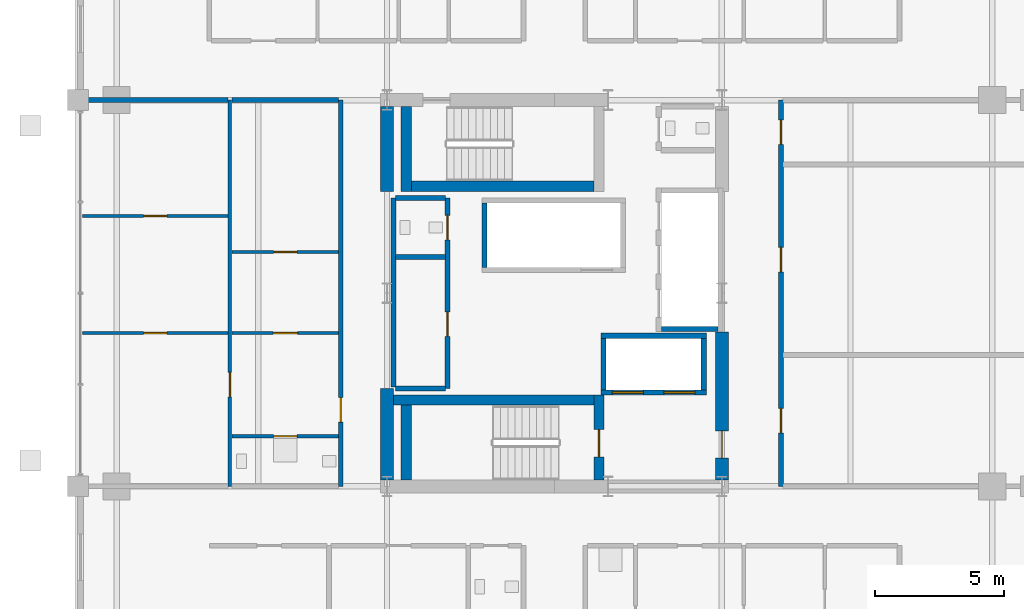
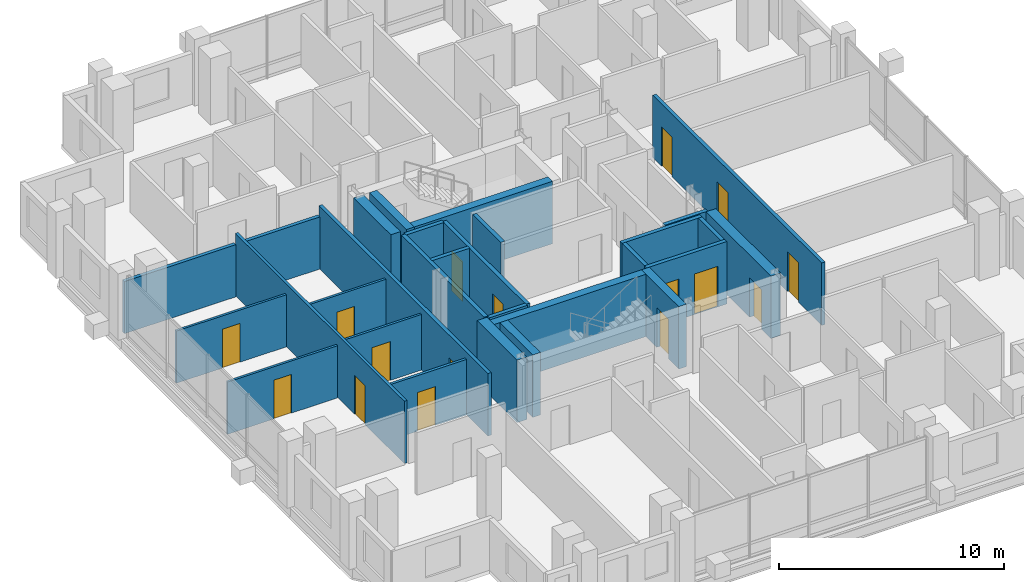
# One storey, part 19 of 24: 29 walls, 16 doors, 16 openings.
"""IFC4 building model written with IfcOpenShell, lengths in metres."""

from ifc_helpers import new_model, si_unit, direction, frame, frame_2d, origin, place, context, subcontext, project, spatial, rectangle, extrude, material, layer, layer_set, type_object, element, fill, save


model = new_model("IFC4")

# Units and contexts
model_context = context("Model", 3, precision=1e-05, world=origin(), true_north=direction((0.0, 1.0)))
body_context = subcontext(model_context, "Body", "Model", "MODEL_VIEW")
ifc_project = project(units=[si_unit("LENGTHUNIT", "METRE"), si_unit("AREAUNIT", "SQUARE_METRE"), si_unit("VOLUMEUNIT", "CUBIC_METRE"), si_unit("PLANEANGLEUNIT", "RADIAN"), si_unit("MASSUNIT", "GRAM", prefix="KILO")], contexts=[model_context])

# Site, building, storey
site_placement = place(None, origin())
site = spatial("IfcSite", under=ifc_project, at=site_placement, CompositionType="ELEMENT")
building_placement = place(site_placement, origin())
building = spatial("IfcBuilding", under=site, at=building_placement, Name="Barlavira Tower and Art Museum", CompositionType="ELEMENT")
storey_placement = place(building_placement, frame((0.0, 0.0, 190.800048828125)))
storey = spatial("IfcBuildingStorey", under=building, at=storey_placement, Name="L49", CompositionType="ELEMENT", Elevation=190.800048828125)

# Wall, opening, door
ifc_material_1 = material(Name="Gypsum acoustic stud partition", Category="gypsum")
ifc_layer_1 = layer(ifc_material_1, 0.1201171875, Name="Gypsum acoustic stud partition")
ifc_layer_set_1 = layer_set([ifc_layer_1], Name="Gypsum acoustic stud partition")
wall_type_1 = type_object("IfcWallType", Name="Apartment Internal Acoustic Partition 120", PredefinedType="PARTITIONING", material=ifc_layer_set_1)
wall_1_placement = place(storey_placement, frame((-18.320068359375, -1.550048828125, 0.0), z_axis=(0.0, 0.0, 1.0), x_axis=(1.0, 0.0, 0.0)))
wall_1 = element("IfcWall", 1, at=wall_1_placement, inside=storey, type_object=wall_type_1, Name="L49 Partition Wall 47", PredefinedType="PARTITIONING", context=body_context, shape_type="SweptSolid", body=[
    extrude(rectangle(XDim=5.64013671875, YDim=0.1201171875, at=frame_2d((2.820068359375, 0.0))), origin(), (0.0, 0.0, 1.0), 2.825927734375),
])
opening_1_placement = place(wall_1_placement, frame((2.3701171875, 0.0, 0.0)))
opening_1 = element("IfcOpeningElement", 2, at=opening_1_placement, cuts=wall_1, Name="Opening D-01", PredefinedType="OPENING", context=body_context, shape_type="SweptSolid", body=[
    extrude(rectangle(XDim=0.89990234375, YDim=2.10009765625, at=frame_2d((0.449951171875, 1.050048828125))), frame((0.0, 0.070068359375, 0.0), z_axis=(0.0, -1.0, 0.0), x_axis=(1.0, 0.0, 0.0)), (0.0, 0.0, 1.0), 0.14013671875),
])
ifc_material_2 = material(Name="Engineered coastal hardwood", Category="wood")
door_type_1 = type_object("IfcDoorType", Name="Internal Bedroom Timber Flush Door 900x2100", OperationType="NOTDEFINED", PredefinedType="DOOR", material=ifc_material_2)
door_1_placement = place(opening_1_placement, origin())
door_1 = element("IfcDoor", 3, at=door_1_placement, inside=storey, type_object=door_type_1, Name="Apartment W1 Bedroom 1 Door", OperationType="SINGLE_SWING_LEFT", OverallHeight=2.10009765625, OverallWidth=0.89990234375, PredefinedType="DOOR", context=body_context, shape_type="SweptSolid", body=[
    extrude(rectangle(XDim=0.89990234375, YDim=2.10009765625, at=frame_2d((0.449951171875, 1.050048828125))), frame((0.0, 0.02490234375, 0.0), z_axis=(0.0, -1.0, 0.0), x_axis=(1.0, 0.0, 0.0)), (0.0, 0.0, 1.0), 0.050048828125),
])
fill(opening_1, door_1)

wall_2_placement = place(storey_placement, frame((-12.52001953125, -1.550048828125, 0.0), z_axis=(0.0, 0.0, 1.0), x_axis=(1.0, 0.0, 0.0)))
wall_2 = element("IfcWall", 4, at=wall_2_placement, inside=storey, type_object=wall_type_1, Name="L49 Partition Wall 48", PredefinedType="PARTITIONING", context=body_context, shape_type="SweptSolid", body=[
    extrude(rectangle(XDim=4.14013671875, YDim=0.1201171875, at=frame_2d((2.070068359375, 0.0))), origin(), (0.0, 0.0, 1.0), 3.010986328125),
])
opening_2_placement = place(wall_2_placement, frame((1.594970703125, 0.0, 0.0)))
opening_2 = element("IfcOpeningElement", 5, at=opening_2_placement, cuts=wall_2, Name="Opening D-02", PredefinedType="OPENING", context=body_context, shape_type="SweptSolid", body=[
    extrude(rectangle(XDim=0.949951171875, YDim=2.10009765625, at=frame_2d((0.47509765625, 1.050048828125))), frame((0.0, 0.070068359375, 0.0), z_axis=(0.0, -1.0, 0.0), x_axis=(1.0, 0.0, 0.0)), (0.0, 0.0, 1.0), 0.14013671875),
])
door_type_2 = type_object("IfcDoorType", Name="Living and Salon Glazed-Leaf Door 950x2100", OperationType="NOTDEFINED", PredefinedType="DOOR", material=ifc_material_2)
door_2_placement = place(opening_2_placement, origin())
door_2 = element("IfcDoor", 6, at=door_2_placement, inside=storey, type_object=door_type_2, Name="Apartment W1 Kitchen Door", OperationType="SINGLE_SWING_RIGHT", OverallHeight=2.10009765625, OverallWidth=0.949951171875, PredefinedType="DOOR", context=body_context, shape_type="SweptSolid", body=[
    extrude(rectangle(XDim=0.949951171875, YDim=2.10009765625, at=frame_2d((0.47509765625, 1.050048828125))), frame((0.0, 0.02490234375, 0.0), z_axis=(0.0, -1.0, 0.0), x_axis=(1.0, 0.0, 0.0)), (0.0, 0.0, 1.0), 0.050048828125),
])
fill(opening_2, door_2)

wall_3_placement = place(storey_placement, frame((-12.52001953125, 1.60009765625, 0.0), z_axis=(0.0, 0.0, 1.0), x_axis=(1.0, 0.0, 0.0)))
wall_3 = element("IfcWall", 7, at=wall_3_placement, inside=storey, type_object=wall_type_1, Name="L49 Partition Wall 50", PredefinedType="PARTITIONING", context=body_context, shape_type="SweptSolid", body=[
    extrude(rectangle(XDim=4.14013671875, YDim=0.1201171875, at=frame_2d((2.070068359375, 0.0))), origin(), (0.0, 0.0, 1.0), 3.010986328125),
])
opening_3_placement = place(wall_3_placement, frame((1.6201171875, 0.0, 0.0)))
opening_3 = element("IfcOpeningElement", 8, at=opening_3_placement, cuts=wall_3, Name="Opening D-01", PredefinedType="OPENING", context=body_context, shape_type="SweptSolid", body=[
    extrude(rectangle(XDim=0.89990234375, YDim=2.10009765625, at=frame_2d((0.449951171875, 1.050048828125))), frame((0.0, 0.070068359375, 0.0), z_axis=(0.0, -1.0, 0.0), x_axis=(1.0, 0.0, 0.0)), (0.0, 0.0, 1.0), 0.14013671875),
])
door_3_placement = place(opening_3_placement, origin())
door_3 = element("IfcDoor", 9, at=door_3_placement, inside=storey, type_object=door_type_1, Name="Apartment W1 Walk-In Dressing Room Door", OperationType="SINGLE_SWING_LEFT", OverallHeight=2.10009765625, OverallWidth=0.89990234375, PredefinedType="DOOR", context=body_context, shape_type="SweptSolid", body=[
    extrude(rectangle(XDim=0.89990234375, YDim=2.10009765625, at=frame_2d((0.449951171875, 1.050048828125))), frame((0.0, 0.02490234375, 0.0), z_axis=(0.0, -1.0, 0.0), x_axis=(1.0, 0.0, 0.0)), (0.0, 0.0, 1.0), 0.050048828125),
])
fill(opening_3, door_3)

wall_4_placement = place(storey_placement, frame((-18.320068359375, 3.0, 0.0), z_axis=(0.0, 0.0, 1.0), x_axis=(1.0, 0.0, 0.0)))
wall_4 = element("IfcWall", 10, at=wall_4_placement, inside=storey, type_object=wall_type_1, Name="L49 Partition Wall 51", PredefinedType="PARTITIONING", context=body_context, shape_type="SweptSolid", body=[
    extrude(rectangle(XDim=5.64013671875, YDim=0.1201171875, at=frame_2d((2.820068359375, 0.0))), origin(), (0.0, 0.0, 1.0), 2.825927734375),
])
opening_4_placement = place(wall_4_placement, frame((2.3701171875, 0.0, 0.0)))
opening_4 = element("IfcOpeningElement", 11, at=opening_4_placement, cuts=wall_4, Name="Opening D-01", PredefinedType="OPENING", context=body_context, shape_type="SweptSolid", body=[
    extrude(rectangle(XDim=0.89990234375, YDim=2.10009765625, at=frame_2d((0.449951171875, 1.050048828125))), frame((0.0, 0.070068359375, 0.0), z_axis=(0.0, -1.0, 0.0), x_axis=(1.0, 0.0, 0.0)), (0.0, 0.0, 1.0), 0.14013671875),
])
door_4_placement = place(opening_4_placement, origin())
door_4 = element("IfcDoor", 12, at=door_4_placement, inside=storey, type_object=door_type_1, Name="Apartment W1 Bedroom 2 Door", OperationType="SINGLE_SWING_RIGHT", OverallHeight=2.10009765625, OverallWidth=0.89990234375, PredefinedType="DOOR", context=body_context, shape_type="SweptSolid", body=[
    extrude(rectangle(XDim=0.89990234375, YDim=2.10009765625, at=frame_2d((0.449951171875, 1.050048828125))), frame((0.0, 0.02490234375, 0.0), z_axis=(0.0, -1.0, 0.0), x_axis=(1.0, 0.0, 0.0)), (0.0, 0.0, 1.0), 0.050048828125),
])
fill(opening_4, door_4)

# Walls
ifc_material_3 = material(Name="Concrete C60", Category="concrete")
ifc_layer_2 = layer(ifc_material_3, 0.5, Name="Concrete C60")
ifc_layer_set_2 = layer_set([ifc_layer_2], Name="Concrete C60")
wall_type_2 = type_object("IfcWallType", Name="Core Structural Shear Wall 500 Concrete C60", PredefinedType="SHEAR", material=ifc_layer_set_2)
wall_5_placement = place(storey_placement, frame((-6.5, -7.25, 0.0), z_axis=(0.0, 0.0, 1.0), x_axis=(0.0, 1.0, 0.0)))
element("IfcWall", 13, at=wall_5_placement, inside=storey, type_object=wall_type_2, Name="L49 Core Shear Wall CS-W1", PredefinedType="SHEAR", context=body_context, shape_type="SweptSolid", body=[
    extrude(rectangle(XDim=3.550048828125, YDim=0.5, at=frame_2d((1.77490234375, 0.0))), origin(), (0.0, 0.0, 1.0), 3.3798828125),
])
wall_6_placement = place(storey_placement, frame((-6.5, 3.949951171875, 0.0), z_axis=(0.0, 0.0, 1.0), x_axis=(0.0, 1.0, 0.0)))
element("IfcWall", 14, at=wall_6_placement, inside=storey, type_object=wall_type_2, Name="L49 Core Shear Wall CS-W2", PredefinedType="SHEAR", context=body_context, shape_type="SweptSolid", body=[
    extrude(rectangle(XDim=3.300048828125, YDim=0.5, at=frame_2d((1.64990234375, 0.0))), origin(), (0.0, 0.0, 1.0), 3.3798828125),
])

# Wall, opening, door
wall_7_placement = place(storey_placement, frame((6.5, -7.25, 0.0), z_axis=(0.0, 0.0, 1.0), x_axis=(0.0, 1.0, 0.0)))
wall_7 = element("IfcWall", 15, at=wall_7_placement, inside=storey, type_object=wall_type_2, Name="L49 Core Shear Wall CS-E1", PredefinedType="SHEAR", context=body_context, shape_type="SweptSolid", body=[
    extrude(rectangle(XDim=5.75, YDim=0.5, at=frame_2d((2.875, 0.0))), origin(), (0.0, 0.0, 1.0), 3.3798828125),
])
opening_5_placement = place(wall_7_placement, frame((0.85009765625, 0.0, 0.0)))
opening_5 = element("IfcOpeningElement", 16, at=opening_5_placement, cuts=wall_7, Name="Opening FD-90", PredefinedType="OPENING", context=body_context, shape_type="SweptSolid", body=[
    extrude(rectangle(XDim=1.050048828125, YDim=2.14990234375, at=frame_2d((0.52490234375, 1.074951171875))), frame((0.0, 0.260009765625, 0.0), z_axis=(0.0, -1.0, 0.0), x_axis=(1.0, 0.0, 0.0)), (0.0, 0.0, 1.0), 0.52001953125),
])
ifc_material_4 = material(Name="Brushed stainless steel", Category="steel")
door_type_3 = type_object("IfcDoorType", Name="Stair and Refuge Fire Door 1050x2150 FD90S", OperationType="NOTDEFINED", PredefinedType="DOOR", material=ifc_material_4)
door_5_placement = place(opening_5_placement, origin())
door_5 = element("IfcDoor", 17, at=door_5_placement, inside=storey, type_object=door_type_3, Name="L49 Firefighting Lobby Entry Fire Door", OperationType="SINGLE_SWING_LEFT", OverallHeight=2.14990234375, OverallWidth=1.050048828125, PredefinedType="DOOR", context=body_context, shape_type="SweptSolid", body=[
    extrude(rectangle(XDim=1.050048828125, YDim=2.14990234375, at=frame_2d((0.52490234375, 1.074951171875))), frame((0.0, 0.02490234375, 0.0), z_axis=(0.0, -1.0, 0.0), x_axis=(1.0, 0.0, 0.0)), (0.0, 0.0, 1.0), 0.050048828125),
])
fill(opening_5, door_5)

# Walls
ifc_material_5 = material(Name="Autoclaved aerated concrete masonry", Category="masonry")
ifc_layer_3 = layer(ifc_material_5, 0.199951171875, Name="Autoclaved aerated concrete masonry")
ifc_layer_set_3 = layer_set([ifc_layer_3], Name="Autoclaved aerated concrete masonry")
wall_type_3 = type_object("IfcWallType", Name="Fire Compartment and Shaft Wall 200", PredefinedType="SOLIDWALL", material=ifc_layer_set_3)
wall_8_placement = place(storey_placement, frame((4.14990234375, -1.389892578125, 0.0), z_axis=(0.0, 0.0, 1.0), x_axis=(1.0, 0.0, 0.0)))
element("IfcWall", 18, at=wall_8_placement, inside=storey, type_object=wall_type_3, Name="L49 Mid-Rise Lift South Shaft Wall", PredefinedType="SOLIDWALL", context=body_context, shape_type="SweptSolid", body=[
    extrude(rectangle(XDim=2.2001953125, YDim=0.199951171875, at=frame_2d((1.10009765625, 0.0))), origin(), (0.0, 0.0, 1.0), 3.3798828125),
])
wall_9_placement = place(storey_placement, frame((-2.719970703125, 1.0, 0.0), z_axis=(0.0, 0.0, 1.0), x_axis=(0.0, 1.0, 0.0)))
element("IfcWall", 19, at=wall_9_placement, inside=storey, type_object=wall_type_3, Name="L49 High-Rise & Service Lift West Wall", PredefinedType="SOLIDWALL", context=body_context, shape_type="SweptSolid", body=[
    extrude(rectangle(XDim=2.5, YDim=0.199951171875, at=frame_2d((1.25, 0.0))), origin(), (0.0, 0.0, 1.0), 3.3798828125),
])

# Wall, openings, doors
wall_10_placement = place(storey_placement, frame((1.800048828125, -3.85009765625, 0.0), z_axis=(0.0, 0.0, 1.0), x_axis=(1.0, 0.0, 0.0)))
wall_10 = element("IfcWall", 20, at=wall_10_placement, inside=storey, type_object=wall_type_3, Name="L49 Firefighting Lift Front Shaft Wall", PredefinedType="SOLIDWALL", context=body_context, shape_type="SweptSolid", body=[
    extrude(rectangle(XDim=4.099853515625, YDim=0.199951171875, at=frame_2d((2.0498046875, 0.0))), origin(), (0.0, 0.0, 1.0), 3.3798828125),
])
opening_6_placement = place(wall_10_placement, frame((0.449951171875, 0.0, 0.0)))
opening_6 = element("IfcOpeningElement", 21, at=opening_6_placement, cuts=wall_10, Name="Opening LD-F", PredefinedType="OPENING", context=body_context, shape_type="SweptSolid", body=[
    extrude(rectangle(XDim=1.199951171875, YDim=2.199951171875, at=frame_2d((0.60009765625, 1.10009765625))), frame((0.0, 0.10986328125, 0.0), z_axis=(0.0, -1.0, 0.0), x_axis=(1.0, 0.0, 0.0)), (0.0, 0.0, 1.0), 0.219970703125),
])
opening_7_placement = place(wall_10_placement, frame((2.449951171875, 0.0, 0.0)))
opening_7 = element("IfcOpeningElement", 22, at=opening_7_placement, cuts=wall_10, Name="Opening LD-F", PredefinedType="OPENING", context=body_context, shape_type="SweptSolid", body=[
    extrude(rectangle(XDim=1.199951171875, YDim=2.199951171875, at=frame_2d((0.60009765625, 1.10009765625))), frame((0.0, 0.10986328125, 0.0), z_axis=(0.0, -1.0, 0.0), x_axis=(1.0, 0.0, 0.0)), (0.0, 0.0, 1.0), 0.219970703125),
])
door_type_4 = type_object("IfcDoorType", Name="Firefighting and Service Lift Sliding Door 1200x2200 FD120", OperationType="NOTDEFINED", PredefinedType="DOOR", material=ifc_material_4)
door_6_placement = place(opening_6_placement, origin())
door_6 = element("IfcDoor", 23, at=door_6_placement, inside=storey, type_object=door_type_4, Name="L49 Firefighting Lift FF1 Sliding Door", OperationType="DOUBLE_DOOR_SLIDING", OverallHeight=2.199951171875, OverallWidth=1.199951171875, PredefinedType="DOOR", context=body_context, shape_type="SweptSolid", body=[
    extrude(rectangle(XDim=1.199951171875, YDim=2.199951171875, at=frame_2d((0.60009765625, 1.10009765625))), frame((0.0, 0.02490234375, 0.0), z_axis=(0.0, -1.0, 0.0), x_axis=(1.0, 0.0, 0.0)), (0.0, 0.0, 1.0), 0.050048828125),
])
fill(opening_6, door_6)
door_7_placement = place(opening_7_placement, origin())
door_7 = element("IfcDoor", 24, at=door_7_placement, inside=storey, type_object=door_type_4, Name="L49 Firefighting Lift FF2 Sliding Door", OperationType="DOUBLE_DOOR_SLIDING", OverallHeight=2.199951171875, OverallWidth=1.199951171875, PredefinedType="DOOR", context=body_context, shape_type="SweptSolid", body=[
    extrude(rectangle(XDim=1.199951171875, YDim=2.199951171875, at=frame_2d((0.60009765625, 1.10009765625))), frame((0.0, 0.02490234375, 0.0), z_axis=(0.0, -1.0, 0.0), x_axis=(1.0, 0.0, 0.0)), (0.0, 0.0, 1.0), 0.050048828125),
])
fill(opening_7, door_7)

# Walls
wall_11_placement = place(storey_placement, frame((1.800048828125, -1.64990234375, 0.0), z_axis=(0.0, 0.0, 1.0), x_axis=(1.0, 0.0, 0.0)))
element("IfcWall", 25, at=wall_11_placement, inside=storey, type_object=wall_type_3, Name="L49 Firefighting Lift Back Shaft Wall", PredefinedType="SOLIDWALL", context=body_context, shape_type="SweptSolid", body=[
    extrude(rectangle(XDim=4.099853515625, YDim=0.199951171875, at=frame_2d((2.0498046875, 0.0))), origin(), (0.0, 0.0, 1.0), 3.3798828125),
])
for number, where, z_axis, x_axis, name in (
    (26, (1.89990234375, -3.75, 0.0), (0.0, 0.0, 1.0), (0.0, 1.0, 0.0), "L49 Firefighting Lift West Shaft Wall"),
    (27, (5.800048828125, -3.75, 0.0), (0.0, 0.0, 1.0), (0.0, 1.0, 0.0), "L49 Firefighting Lift East Shaft Wall"),
):
    element("IfcWall", number, at=place(storey_placement, frame(where, z_axis=z_axis, x_axis=x_axis)), inside=storey, type_object=wall_type_3, Name=name, PredefinedType="SOLIDWALL", context=body_context, shape_type="SweptSolid", body=[
        extrude(rectangle(XDim=2.0, YDim=0.199951171875, at=frame_2d((1.0, 0.0))), origin(), (0.0, 0.0, 1.0), 3.3798828125),
    ])
wall_12_placement = place(storey_placement, frame((-6.25, -3.639892578125, 0.0), z_axis=(0.0, 0.0, 1.0), x_axis=(0.0, 1.0, 0.0)))
element("IfcWall", 28, at=wall_12_placement, inside=storey, type_object=wall_type_3, Name="L49 Partition Wall 6", PredefinedType="SOLIDWALL", context=body_context, shape_type="SweptSolid", body=[
    extrude(rectangle(XDim=7.33984375, YDim=0.199951171875, at=frame_2d((3.669921875, 0.0))), origin(), (0.0, 0.0, 1.0), 3.3798828125),
])

# Wall, openings, doors
wall_13_placement = place(storey_placement, frame((-4.14990234375, -3.699951171875, 0.0), z_axis=(0.0, 0.0, 1.0), x_axis=(0.0, 1.0, 0.0)))
wall_13 = element("IfcWall", 29, at=wall_13_placement, inside=storey, type_object=wall_type_3, Name="L49 Partition Wall 8", PredefinedType="SOLIDWALL", context=body_context, shape_type="SweptSolid", body=[
    extrude(rectangle(XDim=7.39990234375, YDim=0.199951171875, at=frame_2d((3.699951171875, 0.0))), origin(), (0.0, 0.0, 1.0), 3.3798828125),
])
opening_8_placement = place(wall_13_placement, frame((2.02490234375, 0.0, 0.0)))
opening_8 = element("IfcOpeningElement", 30, at=opening_8_placement, cuts=wall_13, Name="Opening FD-60", PredefinedType="OPENING", context=body_context, shape_type="SweptSolid", body=[
    extrude(rectangle(XDim=0.949951171875, YDim=2.14990234375, at=frame_2d((0.47509765625, 1.074951171875))), frame((0.0, 0.10986328125, 0.0), z_axis=(0.0, -1.0, 0.0), x_axis=(1.0, 0.0, 0.0)), (0.0, 0.0, 1.0), 0.219970703125),
])
opening_9_placement = place(wall_13_placement, frame((5.77490234375, 0.0, 0.0)))
opening_9 = element("IfcOpeningElement", 31, at=opening_9_placement, cuts=wall_13, Name="Opening FD-60", PredefinedType="OPENING", context=body_context, shape_type="SweptSolid", body=[
    extrude(rectangle(XDim=0.949951171875, YDim=2.14990234375, at=frame_2d((0.47509765625, 1.074951171875))), frame((0.0, 0.10986328125, 0.0), z_axis=(0.0, -1.0, 0.0), x_axis=(1.0, 0.0, 0.0)), (0.0, 0.0, 1.0), 0.219970703125),
])
door_type_5 = type_object("IfcDoorType", Name="Apartment Entrance and Riser Fire Door 950x2150 FD60S", OperationType="NOTDEFINED", PredefinedType="DOOR", material=ifc_material_4)
door_8_placement = place(opening_8_placement, origin())
door_8 = element("IfcDoor", 32, at=door_8_placement, inside=storey, type_object=door_type_5, Name="Reclaimed Core Resident Parcel Room Door", OperationType="SINGLE_SWING_LEFT", OverallHeight=2.14990234375, OverallWidth=0.949951171875, PredefinedType="DOOR", context=body_context, shape_type="SweptSolid", body=[
    extrude(rectangle(XDim=0.949951171875, YDim=2.14990234375, at=frame_2d((0.47509765625, 1.074951171875))), frame((0.0, 0.02490234375, 0.0), z_axis=(0.0, -1.0, 0.0), x_axis=(1.0, 0.0, 0.0)), (0.0, 0.0, 1.0), 0.050048828125),
])
fill(opening_8, door_8)
door_9_placement = place(opening_9_placement, origin())
door_9 = element("IfcDoor", 33, at=door_9_placement, inside=storey, type_object=door_type_5, Name="Reclaimed Core Accessible WC Door", OperationType="SINGLE_SWING_RIGHT", OverallHeight=2.14990234375, OverallWidth=0.949951171875, PredefinedType="DOOR", context=body_context, shape_type="SweptSolid", body=[
    extrude(rectangle(XDim=0.949951171875, YDim=2.14990234375, at=frame_2d((0.47509765625, 1.074951171875))), frame((0.0, 0.02490234375, 0.0), z_axis=(0.0, -1.0, 0.0), x_axis=(1.0, 0.0, 0.0)), (0.0, 0.0, 1.0), 0.050048828125),
])
fill(opening_9, door_9)

# Walls
for number, where, z_axis, x_axis, name in (
    (34, (-6.169921875, -3.699951171875, 0.0), (0.0, 0.0, 1.0), (1.0, 0.0, 0.0), "L49 Partition Wall 45"),
    (35, (-6.169921875, 1.39990234375, 0.0), (0.0, 0.0, 1.0), (1.0, 0.0, 0.0), "L49 Partition Wall 49"),
    (36, (-6.169921875, 3.699951171875, 0.0), (0.0, 0.0, 1.0), (1.0, 0.0, 0.0), "L49 Partition Wall 52"),
):
    element("IfcWall", number, at=place(storey_placement, frame(where, z_axis=z_axis, x_axis=x_axis)), inside=storey, type_object=wall_type_3, Name=name, PredefinedType="SOLIDWALL", context=body_context, shape_type="SweptSolid", body=[
        extrude(rectangle(XDim=1.93994140625, YDim=0.199951171875, at=frame_2d((0.969970703125, 0.0))), origin(), (0.0, 0.0, 1.0), 3.3798828125),
    ])

# Wall, opening, door
ifc_layer_4 = layer(ifc_material_1, 0.179931640625, Name="Gypsum acoustic stud partition")
ifc_layer_set_4 = layer_set([ifc_layer_4], Name="Gypsum acoustic stud partition")
wall_type_4 = type_object("IfcWallType", Name="Inter-Tenancy Party Partition Wall 180", PredefinedType="PARTITIONING", material=ifc_layer_set_4)
wall_14_placement = place(storey_placement, frame((-8.300048828125, -7.5, 0.0), z_axis=(0.0, 0.0, 1.0), x_axis=(0.0, 1.0, 0.0)))
wall_14 = element("IfcWall", 37, at=wall_14_placement, inside=storey, type_object=wall_type_4, Name="L49 Partition Wall 5", PredefinedType="PARTITIONING", context=body_context, shape_type="SweptSolid", body=[
    extrude(rectangle(XDim=15.0, YDim=0.179931640625, at=frame_2d((7.5, 0.0))), origin(), (0.0, 0.0, 1.0), 3.3798828125),
])
opening_10_placement = place(wall_14_placement, frame((2.4951171875, 0.0, 0.0)))
opening_10 = element("IfcOpeningElement", 38, at=opening_10_placement, cuts=wall_14, Name="Opening FD-60", PredefinedType="OPENING", context=body_context, shape_type="SweptSolid", body=[
    extrude(rectangle(XDim=0.949951171875, YDim=2.14990234375, at=frame_2d((0.47509765625, 1.074951171875))), frame((0.0, 0.10009765625, 0.0), z_axis=(0.0, -1.0, 0.0), x_axis=(1.0, 0.0, 0.0)), (0.0, 0.0, 1.0), 0.199951171875),
])
door_10_placement = place(opening_10_placement, origin())
door_10 = element("IfcDoor", 39, at=door_10_placement, inside=storey, type_object=door_type_5, Name="Apartment Entrance Hall W1 Door", OperationType="SINGLE_SWING_LEFT", OverallHeight=2.14990234375, OverallWidth=0.949951171875, PredefinedType="DOOR", context=body_context, shape_type="SweptSolid", body=[
    extrude(rectangle(XDim=0.949951171875, YDim=2.14990234375, at=frame_2d((0.47509765625, 1.074951171875))), frame((0.0, 0.02490234375, 0.0), z_axis=(0.0, -1.0, 0.0), x_axis=(1.0, 0.0, 0.0)), (0.0, 0.0, 1.0), 0.050048828125),
])
fill(opening_10, door_10)

# Wall, openings, doors
wall_15_placement = place(storey_placement, frame((8.800048828125, -7.5, 0.0), z_axis=(0.0, 0.0, 1.0), x_axis=(0.0, 1.0, 0.0)))
wall_15 = element("IfcWall", 40, at=wall_15_placement, inside=storey, type_object=wall_type_4, Name="L49 Partition Wall 22", PredefinedType="PARTITIONING", context=body_context, shape_type="SweptSolid", body=[
    extrude(rectangle(XDim=15.0, YDim=0.179931640625, at=frame_2d((7.5, 0.0))), origin(), (0.0, 0.0, 1.0), 3.3798828125),
])
opening_11_placement = place(wall_15_placement, frame((2.074951171875, 0.0, 0.0)))
opening_11 = element("IfcOpeningElement", 41, at=opening_11_placement, cuts=wall_15, Name="Opening FD-60", PredefinedType="OPENING", context=body_context, shape_type="SweptSolid", body=[
    extrude(rectangle(XDim=0.949951171875, YDim=2.14990234375, at=frame_2d((0.47509765625, 1.074951171875))), frame((0.0, 0.10009765625, 0.0), z_axis=(0.0, -1.0, 0.0), x_axis=(1.0, 0.0, 0.0)), (0.0, 0.0, 1.0), 0.199951171875),
])
opening_12_placement = place(wall_15_placement, frame((8.324951171875, 0.0, 0.0)))
opening_12 = element("IfcOpeningElement", 42, at=opening_12_placement, cuts=wall_15, Name="Opening FD-60", PredefinedType="OPENING", context=body_context, shape_type="SweptSolid", body=[
    extrude(rectangle(XDim=0.949951171875, YDim=2.14990234375, at=frame_2d((0.47509765625, 1.074951171875))), frame((0.0, 0.10009765625, 0.0), z_axis=(0.0, -1.0, 0.0), x_axis=(1.0, 0.0, 0.0)), (0.0, 0.0, 1.0), 0.199951171875),
])
opening_13_placement = place(wall_15_placement, frame((13.27490234375, 0.0, 0.0)))
opening_13 = element("IfcOpeningElement", 43, at=opening_13_placement, cuts=wall_15, Name="Opening FD-60", PredefinedType="OPENING", context=body_context, shape_type="SweptSolid", body=[
    extrude(rectangle(XDim=0.949951171875, YDim=2.14990234375, at=frame_2d((0.47509765625, 1.074951171875))), frame((0.0, 0.10009765625, 0.0), z_axis=(0.0, -1.0, 0.0), x_axis=(1.0, 0.0, 0.0)), (0.0, 0.0, 1.0), 0.199951171875),
])
door_11_placement = place(opening_11_placement, origin())
door_11 = element("IfcDoor", 44, at=door_11_placement, inside=storey, type_object=door_type_5, Name="Resident Art Collectors Salon Door", OperationType="SINGLE_SWING_LEFT", OverallHeight=2.14990234375, OverallWidth=0.949951171875, PredefinedType="DOOR", context=body_context, shape_type="SweptSolid", body=[
    extrude(rectangle(XDim=0.949951171875, YDim=2.14990234375, at=frame_2d((0.47509765625, 1.074951171875))), frame((0.0, 0.02490234375, 0.0), z_axis=(0.0, -1.0, 0.0), x_axis=(1.0, 0.0, 0.0)), (0.0, 0.0, 1.0), 0.050048828125),
])
fill(opening_11, door_11)
door_12_placement = place(opening_12_placement, origin())
door_12 = element("IfcDoor", 45, at=door_12_placement, inside=storey, type_object=door_type_5, Name="Sculpture and Painting Workshop Door", OperationType="SINGLE_SWING_RIGHT", OverallHeight=2.14990234375, OverallWidth=0.949951171875, PredefinedType="DOOR", context=body_context, shape_type="SweptSolid", body=[
    extrude(rectangle(XDim=0.949951171875, YDim=2.14990234375, at=frame_2d((0.47509765625, 1.074951171875))), frame((0.0, 0.02490234375, 0.0), z_axis=(0.0, -1.0, 0.0), x_axis=(1.0, 0.0, 0.0)), (0.0, 0.0, 1.0), 0.050048828125),
])
fill(opening_12, door_12)
door_13_placement = place(opening_13_placement, origin())
door_13 = element("IfcDoor", 46, at=door_13_placement, inside=storey, type_object=door_type_5, Name="Climate-Controlled Wine Tasting Room Door", OperationType="SINGLE_SWING_LEFT", OverallHeight=2.14990234375, OverallWidth=0.949951171875, PredefinedType="DOOR", context=body_context, shape_type="SweptSolid", body=[
    extrude(rectangle(XDim=0.949951171875, YDim=2.14990234375, at=frame_2d((0.47509765625, 1.074951171875))), frame((0.0, 0.02490234375, 0.0), z_axis=(0.0, -1.0, 0.0), x_axis=(1.0, 0.0, 0.0)), (0.0, 0.0, 1.0), 0.050048828125),
])
fill(opening_13, door_13)

# Walls
wall_16_placement = place(storey_placement, frame((-18.39990234375, 7.5, 0.0), z_axis=(0.0, 0.0, 1.0), x_axis=(1.0, 0.0, 0.0)))
element("IfcWall", 47, at=wall_16_placement, inside=storey, type_object=wall_type_4, Name="L49 Partition Wall 56", PredefinedType="PARTITIONING", context=body_context, shape_type="SweptSolid", body=[
    extrude(rectangle(XDim=5.719970703125, YDim=0.179931640625, at=frame_2d((2.85986328125, 0.0))), origin(), (0.0, 0.0, 1.0), 2.825927734375),
])
wall_17_placement = place(storey_placement, frame((-12.52001953125, 7.5, 0.0), z_axis=(0.0, 0.0, 1.0), x_axis=(1.0, 0.0, 0.0)))
element("IfcWall", 48, at=wall_17_placement, inside=storey, type_object=wall_type_4, Name="L49 Partition Wall 57", PredefinedType="PARTITIONING", context=body_context, shape_type="SweptSolid", body=[
    extrude(rectangle(XDim=4.14013671875, YDim=0.179931640625, at=frame_2d((2.070068359375, 0.0))), origin(), (0.0, 0.0, 1.0), 2.825927734375),
])

# Wall, opening, door
ifc_layer_5 = layer(ifc_material_1, 0.139892578125, Name="Gypsum acoustic stud partition")
ifc_layer_set_5 = layer_set([ifc_layer_5], Name="Gypsum acoustic stud partition")
wall_type_5 = type_object("IfcWallType", Name="Moisture-Resistant Bathroom Partition 140", PredefinedType="PARTITIONING", material=ifc_layer_set_5)
wall_18_placement = place(storey_placement, frame((-12.60009765625, -7.5, 0.0), z_axis=(0.0, 0.0, 1.0), x_axis=(0.0, 1.0, 0.0)))
wall_18 = element("IfcWall", 49, at=wall_18_placement, inside=storey, type_object=wall_type_5, Name="L49 Partition Wall 2", PredefinedType="PARTITIONING", context=body_context, shape_type="SweptSolid", body=[
    extrude(rectangle(XDim=15.0, YDim=0.139892578125, at=frame_2d((7.5, 0.0))), origin(), (0.0, 0.0, 1.0), 3.3798828125),
])
opening_14_placement = place(wall_18_placement, frame((3.47509765625, 0.0, 0.0)))
opening_14 = element("IfcOpeningElement", 50, at=opening_14_placement, cuts=wall_18, Name="Opening D-02", PredefinedType="OPENING", context=body_context, shape_type="SweptSolid", body=[
    extrude(rectangle(XDim=0.949951171875, YDim=2.10009765625, at=frame_2d((0.47509765625, 1.050048828125))), frame((0.0, 0.080078125, 0.0), z_axis=(0.0, -1.0, 0.0), x_axis=(1.0, 0.0, 0.0)), (0.0, 0.0, 1.0), 0.159912109375),
])
door_14_placement = place(opening_14_placement, origin())
door_14 = element("IfcDoor", 51, at=door_14_placement, inside=storey, type_object=door_type_2, Name="Apartment W1 Living Lounge Door", OperationType="SINGLE_SWING_RIGHT", OverallHeight=2.10009765625, OverallWidth=0.949951171875, PredefinedType="DOOR", context=body_context, shape_type="SweptSolid", body=[
    extrude(rectangle(XDim=0.949951171875, YDim=2.10009765625, at=frame_2d((0.47509765625, 1.050048828125))), frame((0.0, 0.02490234375, 0.0), z_axis=(0.0, -1.0, 0.0), x_axis=(1.0, 0.0, 0.0)), (0.0, 0.0, 1.0), 0.050048828125),
])
fill(opening_14, door_14)

wall_19_placement = place(storey_placement, frame((-12.52001953125, -5.550048828125, 0.0), z_axis=(0.0, 0.0, 1.0), x_axis=(1.0, 0.0, 0.0)))
wall_19 = element("IfcWall", 52, at=wall_19_placement, inside=storey, type_object=wall_type_5, Name="L49 Partition Wall 44", PredefinedType="PARTITIONING", context=body_context, shape_type="SweptSolid", body=[
    extrude(rectangle(XDim=4.14013671875, YDim=0.139892578125, at=frame_2d((2.070068359375, 0.0))), origin(), (0.0, 0.0, 1.0), 3.010986328125),
])
opening_15_placement = place(wall_19_placement, frame((1.6201171875, 0.0, 0.0)))
opening_15 = element("IfcOpeningElement", 53, at=opening_15_placement, cuts=wall_19, Name="Opening D-WC", PredefinedType="OPENING", context=body_context, shape_type="SweptSolid", body=[
    extrude(rectangle(XDim=0.89990234375, YDim=2.10009765625, at=frame_2d((0.449951171875, 1.050048828125))), frame((0.0, 0.080078125, 0.0), z_axis=(0.0, -1.0, 0.0), x_axis=(1.0, 0.0, 0.0)), (0.0, 0.0, 1.0), 0.159912109375),
])
door_type_6 = type_object("IfcDoorType", Name="Accessible Bathroom Flush Door 900x2100", OperationType="NOTDEFINED", PredefinedType="DOOR", material=ifc_material_2)
door_15_placement = place(opening_15_placement, origin())
door_15 = element("IfcDoor", 54, at=door_15_placement, inside=storey, type_object=door_type_6, Name="Apartment W1 Hall Bathroom Door", OperationType="SINGLE_SWING_RIGHT", OverallHeight=2.10009765625, OverallWidth=0.89990234375, PredefinedType="DOOR", context=body_context, shape_type="SweptSolid", body=[
    extrude(rectangle(XDim=0.89990234375, YDim=2.10009765625, at=frame_2d((0.449951171875, 1.050048828125))), frame((0.0, 0.02490234375, 0.0), z_axis=(0.0, -1.0, 0.0), x_axis=(1.0, 0.0, 0.0)), (0.0, 0.0, 1.0), 0.050048828125),
])
fill(opening_15, door_15)

# Walls
ifc_material_6 = material(Name="Concrete C55", Category="concrete")
ifc_layer_6 = layer(ifc_material_6, 0.39990234375, Name="Concrete C55")
ifc_layer_set_6 = layer_set([ifc_layer_6], Name="Concrete C55")
wall_type_6 = type_object("IfcWallType", Name="Upper Core Shear Wall 400 Concrete C55", PredefinedType="SHEAR", material=ifc_layer_set_6)
wall_20_placement = place(storey_placement, frame((-5.75, -7.25, 0.0), z_axis=(0.0, 0.0, 1.0), x_axis=(0.0, 1.0, 0.0)))
element("IfcWall", 55, at=wall_20_placement, inside=storey, type_object=wall_type_6, Name="L49 ST-T1 West Half-Landing Wall", PredefinedType="SHEAR", context=body_context, shape_type="SweptSolid", body=[
    extrude(rectangle(XDim=2.89990234375, YDim=0.39990234375, at=frame_2d((1.449951171875, 0.0))), origin(), (0.0, 0.0, 1.0), 3.3798828125),
])
wall_21_placement = place(storey_placement, frame((-6.25, -4.14990234375, 0.0), z_axis=(0.0, 0.0, 1.0), x_axis=(1.0, 0.0, 0.0)))
element("IfcWall", 56, at=wall_21_placement, inside=storey, type_object=wall_type_6, Name="L49 ST-T1 North Shaft Wall", PredefinedType="SHEAR", context=body_context, shape_type="SweptSolid", body=[
    extrude(rectangle(XDim=7.780029296875, YDim=0.39990234375, at=frame_2d((3.89013671875, 0.0))), origin(), (0.0, 0.0, 1.0), 3.3798828125),
])

# Wall, opening, door
wall_22_placement = place(storey_placement, frame((1.72998046875, -7.25, 0.0), z_axis=(0.0, 0.0, 1.0), x_axis=(0.0, 1.0, 0.0)))
wall_22 = element("IfcWall", 57, at=wall_22_placement, inside=storey, type_object=wall_type_6, Name="L49 ST-T1 East Landing Wall", PredefinedType="SHEAR", context=body_context, shape_type="SweptSolid", body=[
    extrude(rectangle(XDim=3.300048828125, YDim=0.39990234375, at=frame_2d((1.64990234375, 0.0))), origin(), (0.0, 0.0, 1.0), 3.3798828125),
])
opening_16_placement = place(wall_22_placement, frame((0.89990234375, 0.0, 0.0)))
opening_16 = element("IfcOpeningElement", 58, at=opening_16_placement, cuts=wall_22, Name="Opening FD-90", PredefinedType="OPENING", context=body_context, shape_type="SweptSolid", body=[
    extrude(rectangle(XDim=1.050048828125, YDim=2.14990234375, at=frame_2d((0.52490234375, 1.074951171875))), frame((0.0, 0.2099609375, 0.0), z_axis=(0.0, -1.0, 0.0), x_axis=(1.0, 0.0, 0.0)), (0.0, 0.0, 1.0), 0.419921875),
])
door_16_placement = place(opening_16_placement, origin())
door_16 = element("IfcDoor", 59, at=door_16_placement, inside=storey, type_object=door_type_3, Name="L49 Stair ST-T1 Fire Door", OperationType="SINGLE_SWING_RIGHT", OverallHeight=2.14990234375, OverallWidth=1.050048828125, PredefinedType="DOOR", context=body_context, shape_type="SweptSolid", body=[
    extrude(rectangle(XDim=1.050048828125, YDim=2.14990234375, at=frame_2d((0.52490234375, 1.074951171875))), frame((0.0, 0.02490234375, 0.0), z_axis=(0.0, -1.0, 0.0), x_axis=(1.0, 0.0, 0.0)), (0.0, 0.0, 1.0), 0.050048828125),
])
fill(opening_16, door_16)

# Walls
wall_23_placement = place(storey_placement, frame((-5.550048828125, 4.14990234375, 0.0), z_axis=(0.0, 0.0, 1.0), x_axis=(1.0, 0.0, 0.0)))
element("IfcWall", 60, at=wall_23_placement, inside=storey, type_object=wall_type_6, Name="L49 ST-T2 South Shaft Wall", PredefinedType="SHEAR", context=body_context, shape_type="SweptSolid", body=[
    extrude(rectangle(XDim=7.080078125, YDim=0.39990234375, at=frame_2d((3.5400390625, 0.0))), origin(), (0.0, 0.0, 1.0), 3.3798828125),
])
wall_24_placement = place(storey_placement, frame((-5.75, 3.949951171875, 0.0), z_axis=(0.0, 0.0, 1.0), x_axis=(0.0, 1.0, 0.0)))
element("IfcWall", 61, at=wall_24_placement, inside=storey, type_object=wall_type_6, Name="L49 ST-T2 West Shaft Wall", PredefinedType="SHEAR", context=body_context, shape_type="SweptSolid", body=[
    extrude(rectangle(XDim=3.300048828125, YDim=0.39990234375, at=frame_2d((1.64990234375, 0.0))), origin(), (0.0, 0.0, 1.0), 3.3798828125),
])

save(model, "model.ifc")
